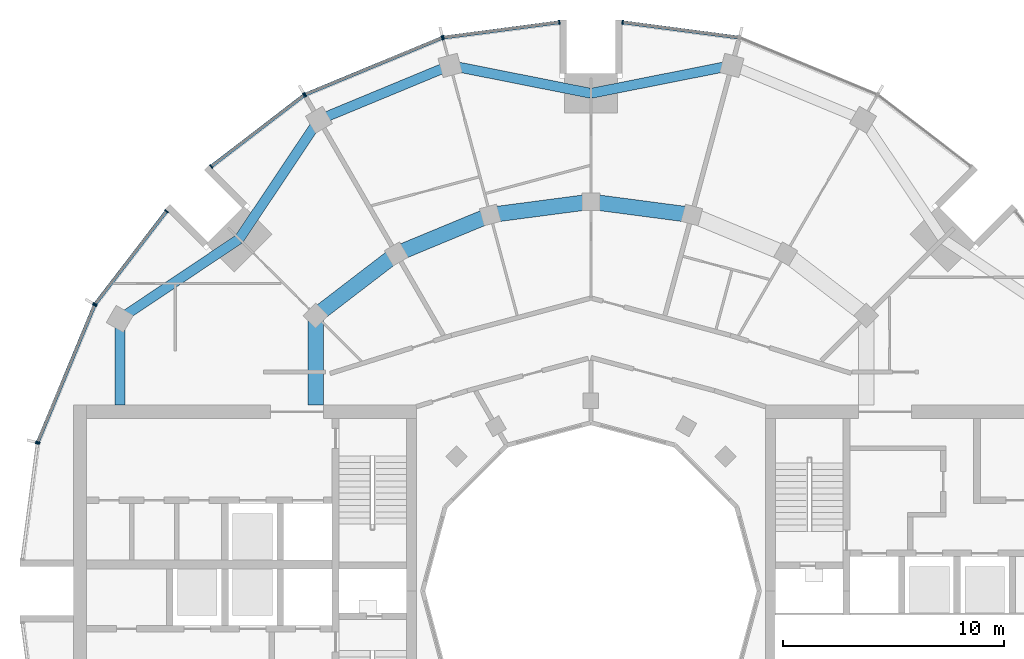
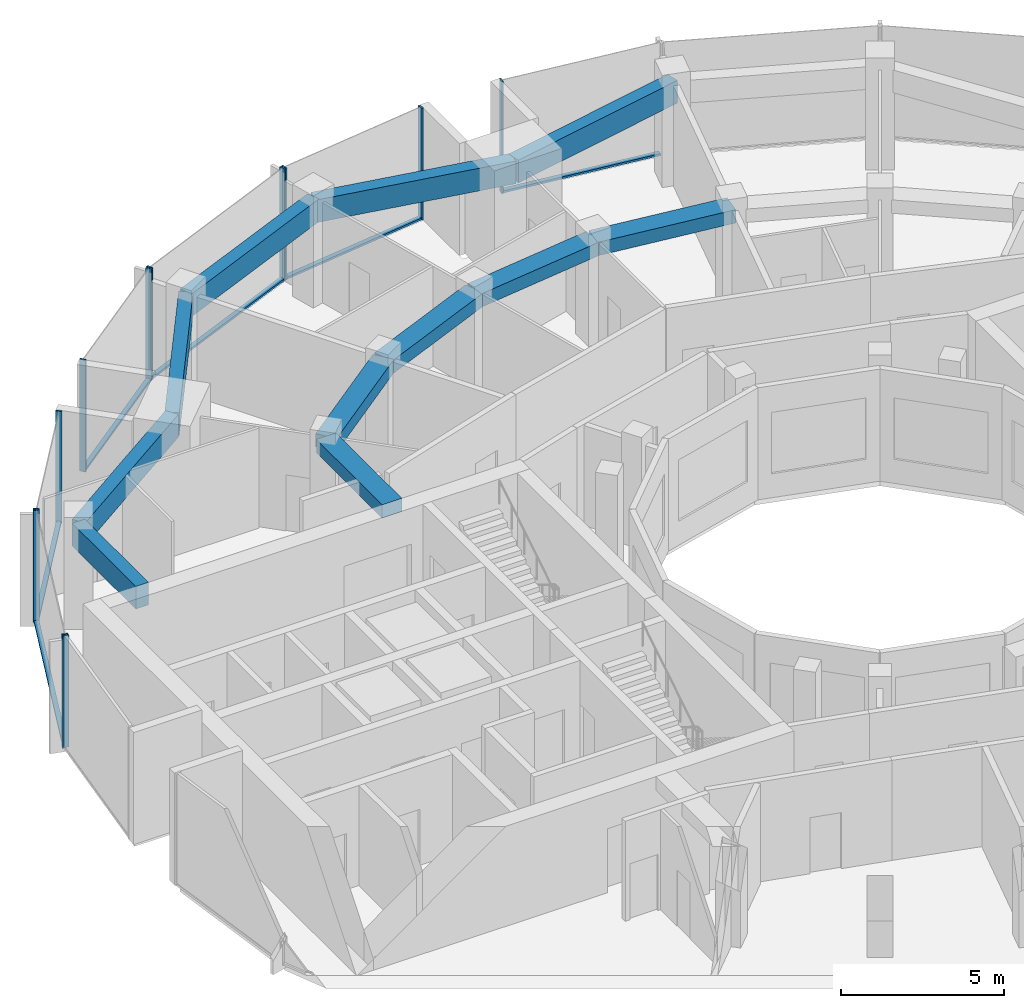
# One storey, part 5 of 15: 18 members, 11 beams, 7 elements without a shape of their own.
"""IFC4 building model written with IfcOpenShell, lengths in metres."""

from ifc_helpers import new_model, si_unit, direction, frame, origin, origin_2d, place, context, subcontext, project, spatial, rectangle, extrude, material, layer, layer_set, material_profile, profile_set, type_object, element, aggregate, save


model = new_model("IFC4")

# Units and contexts
model_context = context("Model", 3, precision=1e-05, world=origin(), true_north=direction((0.0, 1.0)))
body_context = subcontext(model_context, "Body", "Model", "MODEL_VIEW")
ifc_project = project(units=[si_unit("LENGTHUNIT", "METRE"), si_unit("AREAUNIT", "SQUARE_METRE"), si_unit("VOLUMEUNIT", "CUBIC_METRE"), si_unit("PLANEANGLEUNIT", "RADIAN"), si_unit("MASSUNIT", "GRAM", prefix="KILO")], contexts=[model_context])

# Site, building, storey
site_placement = place(None, origin())
site = spatial("IfcSite", under=ifc_project, at=site_placement, CompositionType="ELEMENT")
building_placement = place(site_placement, origin())
building = spatial("IfcBuilding", under=site, at=building_placement, Name="Torre Brocal", CompositionType="ELEMENT")
storey_placement = place(building_placement, frame((0.0, 0.0, 266.699951171875)))
storey = spatial("IfcBuildingStorey", under=building, at=storey_placement, Name="L61", CompositionType="ELEMENT", Elevation=266.699951171875)

# Curtain wall, member
ifc_material_1 = material(Name="Aluminium and glass", Category="aluminium")
ifc_layer_1 = layer(ifc_material_1, 0.199951171875)
ifc_layer_set_1 = layer_set([ifc_layer_1], Name="Aluminium and glass")
curtain_wall_type_1 = type_object("IfcCurtainWallType", Name="CW-1 CURTAIN WALL 4200 HIGH", PredefinedType="NOTDEFINED", material=ifc_layer_set_1)
curtain_wall_1_placement = place(storey_placement, origin())
curtain_wall_1 = element("IfcCurtainWall", 1, at=curtain_wall_1_placement, inside=storey, type_object=curtain_wall_type_1, Name="CW-1 RUN 6", PredefinedType="NOTDEFINED")
ifc_material_2 = material(Name="Aluminium, dark anodised", Category="aluminium")
ifc_material_profile_1 = material_profile(ifc_material_2, rectangle(XDim=0.199951171875, YDim=0.06005859375, at=origin_2d()), Name="CW-1 MULLION 60X200")
ifc_profile_set_1 = profile_set([ifc_material_profile_1], Name="Aluminium, dark anodised")
member_type_1 = type_object("IfcMemberType", Name="CW-1 MULLION 60X200", PredefinedType="MULLION", material=ifc_profile_set_1)
member_1_placement = place(storey_placement, frame((81.4296875, 100.7109375, 0.0), z_axis=(0.0, 0.0, 1.0), x_axis=(-0.13052619222, -0.991444861374, 0.0)))
member_1 = element("IfcMember", 2, at=member_1_placement, type_object=member_type_1, Name="CW1-5 mullion 2", PredefinedType="MULLION", context=body_context, shape_type="SweptSolid", body=[
    extrude(rectangle(XDim=0.199951171875, YDim=0.06005859375, at=origin_2d()), origin(), (0.0, 0.0, 1.0), 4.199951171875),
])

# Curtain wall, members
curtain_wall_2_placement = place(storey_placement, origin())
curtain_wall_2 = element("IfcCurtainWall", 3, at=curtain_wall_2_placement, inside=storey, type_object=curtain_wall_type_1, Name="CW-1 RUN 7", PredefinedType="NOTDEFINED")
member_2_placement = place(storey_placement, frame((78.5703125, 100.7109375, 0.0), z_axis=(0.0, 0.0, 1.0), x_axis=(0.13052619222, -0.991444861374, 0.0)))
member_2 = element("IfcMember", 4, at=member_2_placement, type_object=member_type_1, Name="CW1-5 mullion 1", PredefinedType="MULLION", context=body_context, shape_type="SweptSolid", body=[
    extrude(rectangle(XDim=0.199951171875, YDim=0.06005859375, at=origin_2d()), origin(), (0.0, 0.0, 1.0), 4.199951171875),
])
member_3_placement = place(storey_placement, frame((73.32666015625, 100.0205078125, 0.0), z_axis=(0.0, 0.0, 1.0), x_axis=(0.13052619222, -0.991444861374, 0.0)))
member_3 = element("IfcMember", 5, at=member_3_placement, type_object=member_type_1, Name="CW1-5 mullion 2", PredefinedType="MULLION", context=body_context, shape_type="SweptSolid", body=[
    extrude(rectangle(XDim=0.199951171875, YDim=0.06005859375, at=origin_2d()), origin(), (0.0, 0.0, 1.0), 4.199951171875),
])

curtain_wall_3_placement = place(storey_placement, origin())
curtain_wall_3 = element("IfcCurtainWall", 6, at=curtain_wall_3_placement, inside=storey, type_object=curtain_wall_type_1, Name="CW-1 RUN 8", PredefinedType="NOTDEFINED")
member_4_placement = place(storey_placement, frame((73.26904296875, 100.005126953125, 0.0), z_axis=(0.0, 0.0, 1.0), x_axis=(0.382683432333, -0.923879532525, 0.0)))
member_4 = element("IfcMember", 7, at=member_4_placement, type_object=member_type_1, Name="CW1-5 mullion 1", PredefinedType="MULLION", context=body_context, shape_type="SweptSolid", body=[
    extrude(rectangle(XDim=0.199951171875, YDim=0.06005859375, at=origin_2d()), origin(), (0.0, 0.0, 1.0), 4.199951171875),
])
member_5_placement = place(storey_placement, frame((67.078125, 97.440673828125, 0.0), z_axis=(0.0, 0.0, 1.0), x_axis=(0.382683432333, -0.923879532525, 0.0)))
member_5 = element("IfcMember", 8, at=member_5_placement, type_object=member_type_1, Name="CW1-5 mullion 2", PredefinedType="MULLION", context=body_context, shape_type="SweptSolid", body=[
    extrude(rectangle(XDim=0.199951171875, YDim=0.06005859375, at=origin_2d()), origin(), (0.0, 0.0, 1.0), 4.199951171875),
])

curtain_wall_4_placement = place(storey_placement, origin())
curtain_wall_4 = element("IfcCurtainWall", 9, at=curtain_wall_4_placement, inside=storey, type_object=curtain_wall_type_1, Name="CW-1 RUN 9", PredefinedType="NOTDEFINED")
member_6_placement = place(storey_placement, frame((67.026611328125, 97.4111328125, 0.0), z_axis=(0.0, 0.0, 1.0), x_axis=(0.60876142905, -0.793353340259, 0.0)))
member_6 = element("IfcMember", 10, at=member_6_placement, type_object=member_type_1, Name="CW1-5 mullion 1", PredefinedType="MULLION", context=body_context, shape_type="SweptSolid", body=[
    extrude(rectangle(XDim=0.199951171875, YDim=0.06005859375, at=origin_2d()), origin(), (0.0, 0.0, 1.0), 4.199951171875),
])
member_7_placement = place(storey_placement, frame((62.83056640625, 94.19140625, 0.0), z_axis=(0.0, 0.0, 1.0), x_axis=(0.60876142905, -0.793353340259, 0.0)))
member_7 = element("IfcMember", 11, at=member_7_placement, type_object=member_type_1, Name="CW1-5 mullion 2", PredefinedType="MULLION", context=body_context, shape_type="SweptSolid", body=[
    extrude(rectangle(XDim=0.199951171875, YDim=0.06005859375, at=origin_2d()), origin(), (0.0, 0.0, 1.0), 4.199951171875),
])

curtain_wall_5_placement = place(storey_placement, origin())
curtain_wall_5 = element("IfcCurtainWall", 12, at=curtain_wall_5_placement, inside=storey, type_object=curtain_wall_type_1, Name="CW-1 RUN 10", PredefinedType="NOTDEFINED")
member_8_placement = place(storey_placement, frame((60.80859375, 92.16943359375, 0.0), z_axis=(0.0, 0.0, 1.0), x_axis=(0.793353340259, -0.60876142905, 0.0)))
member_8 = element("IfcMember", 13, at=member_8_placement, type_object=member_type_1, Name="CW1-5 mullion 1", PredefinedType="MULLION", context=body_context, shape_type="SweptSolid", body=[
    extrude(rectangle(XDim=0.199951171875, YDim=0.06005859375, at=origin_2d()), origin(), (0.0, 0.0, 1.0), 4.199951171875),
])
member_9_placement = place(storey_placement, frame((57.5888671875, 87.973388671875, 0.0), z_axis=(0.0, 0.0, 1.0), x_axis=(0.793353340259, -0.60876142905, 0.0)))
member_9 = element("IfcMember", 14, at=member_9_placement, type_object=member_type_1, Name="CW1-5 mullion 2", PredefinedType="MULLION", context=body_context, shape_type="SweptSolid", body=[
    extrude(rectangle(XDim=0.199951171875, YDim=0.06005859375, at=origin_2d()), origin(), (0.0, 0.0, 1.0), 4.199951171875),
])

curtain_wall_6_placement = place(storey_placement, origin())
curtain_wall_6 = element("IfcCurtainWall", 15, at=curtain_wall_6_placement, inside=storey, type_object=curtain_wall_type_1, Name="CW-1 RUN 11", PredefinedType="NOTDEFINED")
member_10_placement = place(storey_placement, frame((57.559326171875, 87.921875, 0.0), z_axis=(0.0, 0.0, 1.0), x_axis=(0.923879532525, -0.382683432333, 0.0)))
member_10 = element("IfcMember", 16, at=member_10_placement, type_object=member_type_1, Name="CW1-5 mullion 1", PredefinedType="MULLION", context=body_context, shape_type="SweptSolid", body=[
    extrude(rectangle(XDim=0.199951171875, YDim=0.06005859375, at=origin_2d()), origin(), (0.0, 0.0, 1.0), 4.199951171875),
])
member_11_placement = place(storey_placement, frame((54.994873046875, 81.73095703125, 0.0), z_axis=(0.0, 0.0, 1.0), x_axis=(0.923879532525, -0.382683432333, 0.0)))
member_11 = element("IfcMember", 17, at=member_11_placement, type_object=member_type_1, Name="CW1-5 mullion 2", PredefinedType="MULLION", context=body_context, shape_type="SweptSolid", body=[
    extrude(rectangle(XDim=0.199951171875, YDim=0.06005859375, at=origin_2d()), origin(), (0.0, 0.0, 1.0), 4.199951171875),
])

# Member
ifc_material_3 = material(Name="Aluminium, dark anodised", Category="aluminium")
ifc_material_profile_2 = material_profile(ifc_material_3, rectangle(XDim=0.159912109375, YDim=0.080078125, at=origin_2d()), Name="CW-1 TRANSOM 160X80")
ifc_profile_set_2 = profile_set([ifc_material_profile_2], Name="Aluminium, dark anodised")
member_type_2 = type_object("IfcMemberType", Name="CW-1 TRANSOM 160X80", PredefinedType="USERDEFINED", material=ifc_profile_set_2)
member_12_placement = place(storey_placement, frame((86.643798828125, 100.0244140625, 0.0400390625), z_axis=(-0.991442690863, 0.130542677827, 0.0), x_axis=(-0.130542677827, -0.991442690863, 0.0)))
member_12 = element("IfcMember", 18, at=member_12_placement, type_object=member_type_2, Name="CW1-5 transom 1.1", ObjectType="TRANSOM", PredefinedType="USERDEFINED", context=body_context, shape_type="SweptSolid", body=[
    extrude(rectangle(XDim=0.159912109375, YDim=0.080078125, at=origin_2d()), origin(), (0.0, 0.0, 1.0), 5.22900390625),
])

aggregate(curtain_wall_1, [member_1, member_12])

member_13_placement = place(storey_placement, frame((78.54052734375, 100.70703125, 0.0400390625), z_axis=(-0.991442690863, -0.130542677827, 0.0), x_axis=(0.130542677827, -0.991442690863, 0.0)))
member_13 = element("IfcMember", 19, at=member_13_placement, type_object=member_type_2, Name="CW1-5 transom 1.1", ObjectType="TRANSOM", PredefinedType="USERDEFINED", context=body_context, shape_type="SweptSolid", body=[
    extrude(rectangle(XDim=0.159912109375, YDim=0.080078125, at=origin_2d()), origin(), (0.0, 0.0, 1.0), 5.22900390625),
])

aggregate(curtain_wall_2, [member_2, member_3, member_13])

member_14_placement = place(storey_placement, frame((73.241455078125, 99.99365234375, 0.0400390625), z_axis=(-0.923887344364, -0.38266457234, 0.0), x_axis=(0.38266457234, -0.923887344364, 0.0)))
member_14 = element("IfcMember", 20, at=member_14_placement, type_object=member_type_2, Name="CW1-5 transom 1.1", ObjectType="TRANSOM", PredefinedType="USERDEFINED", context=body_context, shape_type="SweptSolid", body=[
    extrude(rectangle(XDim=0.159912109375, YDim=0.080078125, at=origin_2d()), origin(), (0.0, 0.0, 1.0), 6.640869140625),
])

aggregate(curtain_wall_3, [member_4, member_5, member_14])

member_15_placement = place(storey_placement, frame((67.0029296875, 97.392822265625, 0.0400390625), z_axis=(-0.79336281513, -0.60874908096, 0.0), x_axis=(0.60874908096, -0.79336281513, 0.0)))
member_15 = element("IfcMember", 21, at=member_15_placement, type_object=member_type_2, Name="CW1-5 transom 1.1", ObjectType="TRANSOM", PredefinedType="USERDEFINED", context=body_context, shape_type="SweptSolid", body=[
    extrude(rectangle(XDim=0.159912109375, YDim=0.080078125, at=origin_2d()), origin(), (0.0, 0.0, 1.0), 5.22900390625),
])

aggregate(curtain_wall_4, [member_6, member_7, member_15])

member_16_placement = place(storey_placement, frame((60.790283203125, 92.1455078125, 0.0400390625), z_axis=(-0.60874908096, -0.79336281513, 0.0), x_axis=(0.79336281513, -0.60874908096, 0.0)))
member_16 = element("IfcMember", 22, at=member_16_placement, type_object=member_type_2, Name="CW1-5 transom 1.1", ObjectType="TRANSOM", PredefinedType="USERDEFINED", context=body_context, shape_type="SweptSolid", body=[
    extrude(rectangle(XDim=0.159912109375, YDim=0.080078125, at=origin_2d()), origin(), (0.0, 0.0, 1.0), 5.22900390625),
])

aggregate(curtain_wall_5, [member_8, member_9, member_16])

member_17_placement = place(storey_placement, frame((57.547607421875, 87.89404296875, 0.0400390625), z_axis=(-0.38266457234, -0.923887344364, 0.0), x_axis=(0.923887344364, -0.38266457234, 0.0)))
member_17 = element("IfcMember", 23, at=member_17_placement, type_object=member_type_2, Name="CW1-5 transom 1.1", ObjectType="TRANSOM", PredefinedType="USERDEFINED", context=body_context, shape_type="SweptSolid", body=[
    extrude(rectangle(XDim=0.159912109375, YDim=0.080078125, at=origin_2d()), origin(), (0.0, 0.0, 1.0), 6.640869140625),
])

aggregate(curtain_wall_6, [member_10, member_11, member_17])

# Curtain wall, member
ifc_material_4 = material(Name="Aluminium and glass", Category="aluminium")
ifc_layer_2 = layer(ifc_material_4, 0.199951171875)
ifc_layer_set_2 = layer_set([ifc_layer_2], Name="Aluminium and glass")
curtain_wall_type_2 = type_object("IfcCurtainWallType", Name="CW-1B CURTAIN WALL 4200 HIGH", PredefinedType="NOTDEFINED", material=ifc_layer_set_2)
curtain_wall_7_placement = place(storey_placement, origin())
curtain_wall_7 = element("IfcCurtainWall", 24, at=curtain_wall_7_placement, inside=storey, type_object=curtain_wall_type_2, Name="CW-1B RUN 12", PredefinedType="NOTDEFINED")
ifc_material_5 = material(Name="Aluminium, dark anodised", Category="aluminium")
ifc_material_profile_3 = material_profile(ifc_material_5, rectangle(XDim=0.199951171875, YDim=0.06005859375, at=origin_2d()), Name="CW-1B MULLION 60X200")
ifc_profile_set_3 = profile_set([ifc_material_profile_3], Name="Aluminium, dark anodised")
member_type_3 = type_object("IfcMemberType", Name="CW-1B MULLION 60X200", PredefinedType="MULLION", material=ifc_profile_set_3)
member_18_placement = place(storey_placement, frame((54.9794921875, 81.67333984375, 0.0), z_axis=(0.0, 0.0, 1.0), x_axis=(0.991444861374, -0.13052619222, 0.0)))
member_18 = element("IfcMember", 25, at=member_18_placement, type_object=member_type_3, Name="CW1B-5 mullion 1", PredefinedType="MULLION", context=body_context, shape_type="SweptSolid", body=[
    extrude(rectangle(XDim=0.199951171875, YDim=0.06005859375, at=origin_2d()), origin(), (0.0, 0.0, 1.0), 4.199951171875),
])
aggregate(curtain_wall_7, [member_18])

# Beams
ifc_material_6 = material(Name="Concrete C50", Category="concrete")
ifc_material_profile_4 = material_profile(ifc_material_6, rectangle(XDim=0.699951171875, YDim=0.5, at=origin_2d()), Name="RC 700X500")
ifc_profile_set_4 = profile_set([ifc_material_profile_4], Name="Concrete C50")
beam_type_1 = type_object("IfcBeamType", Name="RC BEAM 700X500 C50 TOP 3750", PredefinedType="BEAM", material=ifc_profile_set_4)
for number, where, z_axis, x_axis, name in (
    (26, (84.55517578125, 92.000244140625, 3.5), (-0.991440544449, 0.130558978332, 0.0), (-0.130558978332, -0.991440544449, 0.0), "Beam BT-43"),
    (27, (80.0, 92.60009765625, 3.5), (-0.991440544449, -0.130558978332, 0.0), (0.130558978332, -0.991440544449, 0.0), "Beam BT-43"),
):
    element("IfcBeam", number, at=place(storey_placement, frame(where, z_axis=z_axis, x_axis=x_axis)), inside=storey, type_object=beam_type_1, Name=name, PredefinedType="BEAM", context=body_context, shape_type="SweptSolid", body=[
        extrude(rectangle(XDim=0.699951171875, YDim=0.5, at=origin_2d()), origin(), (0.0, 0.0, 1.0), 4.594482421875),
    ])
beam_1_placement = place(storey_placement, frame((75.44482421875, 92.000244140625, 3.5), z_axis=(-0.923878240166, -0.382686552348, 0.0), x_axis=(0.382686552348, -0.923878240166, 0.0)))
element("IfcBeam", 28, at=beam_1_placement, inside=storey, type_object=beam_type_1, Name="Beam BT-43", PredefinedType="BEAM", context=body_context, shape_type="SweptSolid", body=[
    extrude(rectangle(XDim=0.699951171875, YDim=0.5, at=origin_2d()), origin(), (0.0, 0.0, 1.0), 4.5947265625),
])
beam_2_placement = place(storey_placement, frame((71.199951171875, 90.241943359375, 3.5), z_axis=(-0.793358265959, -0.6087550097, 0.0), x_axis=(0.6087550097, -0.793358265959, 0.0)))
element("IfcBeam", 29, at=beam_2_placement, inside=storey, type_object=beam_type_1, Name="Beam BT-43", PredefinedType="BEAM", context=body_context, shape_type="SweptSolid", body=[
    extrude(rectangle(XDim=0.699951171875, YDim=0.5, at=origin_2d()), origin(), (0.0, 0.0, 1.0), 4.594482421875),
])
beam_3_placement = place(storey_placement, frame((67.554931640625, 87.445068359375, 3.5), z_axis=(0.0, -1.0, 0.0), x_axis=(1.0, 0.0, 0.0)))
element("IfcBeam", 30, at=beam_3_placement, inside=storey, type_object=beam_type_1, Name="Beam BT-43", PredefinedType="BEAM", context=body_context, shape_type="SweptSolid", body=[
    extrude(rectangle(XDim=0.699951171875, YDim=0.5, at=origin_2d()), origin(), (0.0, 0.0, 1.0), 4.045166015625),
])
ifc_material_7 = material(Name="Concrete C50", Category="concrete")
ifc_material_profile_5 = material_profile(ifc_material_7, rectangle(XDim=0.449951171875, YDim=0.85009765625, at=origin_2d()), Name="RC 450X850")
ifc_profile_set_5 = profile_set([ifc_material_profile_5], Name="Concrete C50")
beam_type_2 = type_object("IfcBeamType", Name="RC SPANDREL BEAM 450X850 C50 TOP 3750", PredefinedType="SPANDREL", material=ifc_profile_set_5)
for number, where, z_axis, x_axis, name in (
    (31, (86.366943359375, 98.76171875, 3.324951171875), (-0.980924907484, -0.194387051723, 0.0), (0.194387051723, -0.980924907484, 0.0), "Beam BT-44"),
    (32, (80.0, 97.5, 3.324951171875), (-0.980924907484, 0.194387051723, 0.0), (-0.194387051723, -0.980924907484, 0.0), "Beam BT-44"),
):
    element("IfcBeam", number, at=place(storey_placement, frame(where, z_axis=z_axis, x_axis=x_axis)), inside=storey, type_object=beam_type_2, Name=name, PredefinedType="SPANDREL", context=body_context, shape_type="SweptSolid", body=[
        extrude(rectangle(XDim=0.449951171875, YDim=0.85009765625, at=origin_2d()), origin(), (0.0, 0.0, 1.0), 6.49072265625),
    ])
beam_4_placement = place(storey_placement, frame((73.633056640625, 98.76171875, 3.324951171875), z_axis=(-0.923882462513, -0.382676358639, 0.0), x_axis=(0.382676358639, -0.923882462513, 0.0)))
element("IfcBeam", 33, at=beam_4_placement, inside=storey, type_object=beam_type_2, Name="Beam BT-44", PredefinedType="SPANDREL", context=body_context, shape_type="SweptSolid", body=[
    extrude(rectangle(XDim=0.449951171875, YDim=0.85009765625, at=origin_2d()), origin(), (0.0, 0.0, 1.0), 6.421875),
])
for number, where, z_axis, x_axis, name in (
    (34, (67.699951171875, 96.30419921875, 3.324951171875), (-0.556157602282, -0.831076844476, 0.0), (0.831076844476, -0.556157602282, 0.0), "Beam BT-44"),
    (35, (64.090087890625, 90.909912109375, 3.324951171875), (-0.831076844476, -0.556157602282, 0.0), (0.556157602282, -0.831076844476, 0.0), "Beam BT-44"),
):
    element("IfcBeam", number, at=place(storey_placement, frame(where, z_axis=z_axis, x_axis=x_axis)), inside=storey, type_object=beam_type_2, Name=name, PredefinedType="SPANDREL", context=body_context, shape_type="SweptSolid", body=[
        extrude(rectangle(XDim=0.449951171875, YDim=0.85009765625, at=origin_2d()), origin(), (0.0, 0.0, 1.0), 6.49072265625),
    ])
beam_5_placement = place(storey_placement, frame((58.69580078125, 87.300048828125, 3.324951171875), z_axis=(0.0, -1.0, 0.0), x_axis=(1.0, 0.0, 0.0)))
element("IfcBeam", 36, at=beam_5_placement, inside=storey, type_object=beam_type_2, Name="Beam BT-44", PredefinedType="SPANDREL", context=body_context, shape_type="SweptSolid", body=[
    extrude(rectangle(XDim=0.449951171875, YDim=0.85009765625, at=origin_2d()), origin(), (0.0, 0.0, 1.0), 3.900146484375),
])

save(model, "model.ifc")
